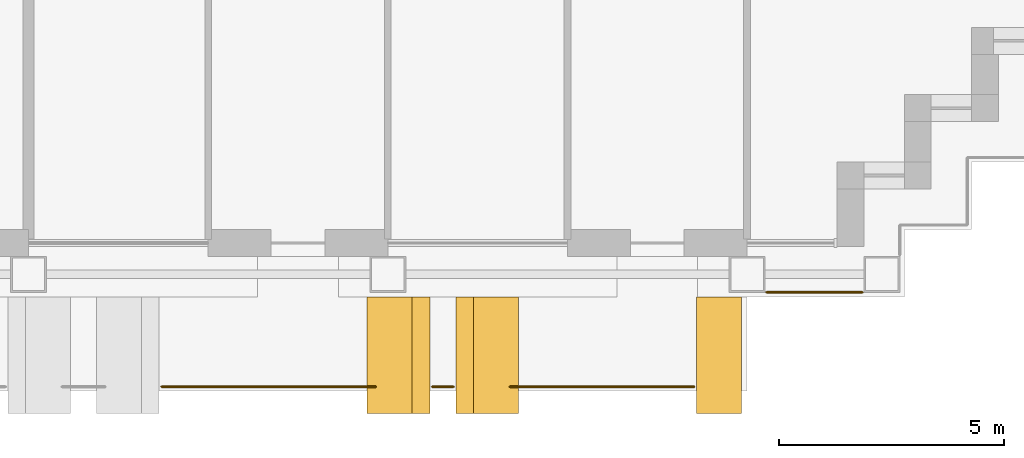
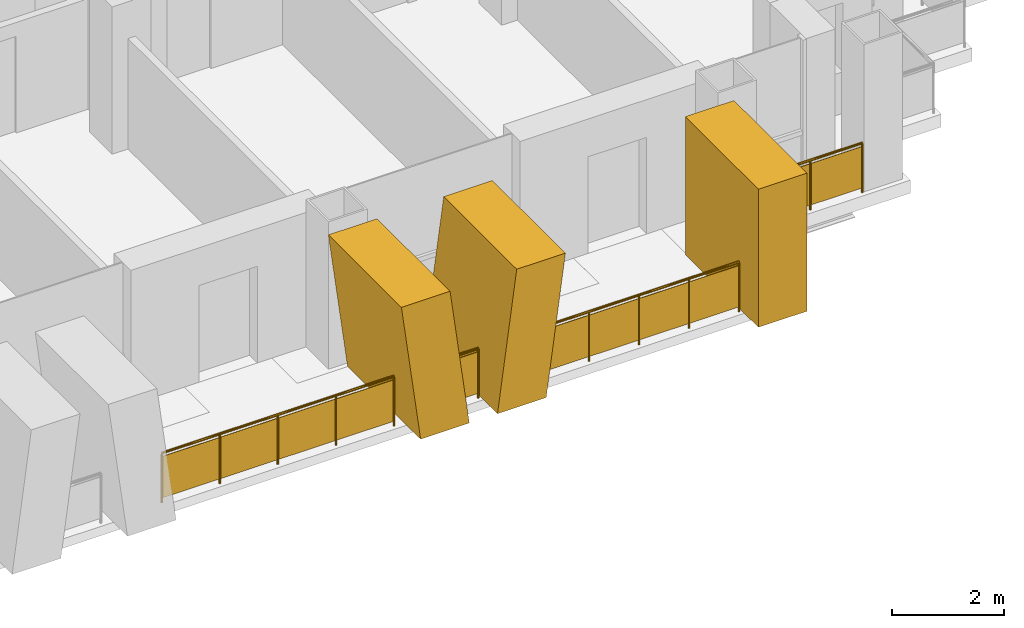
# One storey, part 15 of 18: 4 railings, 3 shading devices.
"""IFC4 building model written with IfcOpenShell, lengths in metres."""

from ifc_helpers import new_model, si_unit, direction, frame, origin, origin_2d, place, context, subcontext, project, spatial, polyline, rectangle, circle, outline, extrude, material, layer, layer_set, type_object, element, save


model = new_model("IFC4")

# Units and contexts
model_context = context("Model", 3, precision=1e-05, world=origin(), true_north=direction((0.0, 1.0)))
body_context = subcontext(model_context, "Body", "Model", "MODEL_VIEW")
ifc_project = project(units=[si_unit("LENGTHUNIT", "METRE"), si_unit("AREAUNIT", "SQUARE_METRE"), si_unit("VOLUMEUNIT", "CUBIC_METRE"), si_unit("PLANEANGLEUNIT", "RADIAN"), si_unit("MASSUNIT", "GRAM", prefix="KILO")], contexts=[model_context])

# Site, building, storey
site_placement = place(None, origin())
site = spatial("IfcSite", under=ifc_project, at=site_placement, CompositionType="ELEMENT")
building_placement = place(site_placement, origin())
building = spatial("IfcBuilding", under=site, at=building_placement, Name="Vidyagriha Tower", CompositionType="ELEMENT")
storey_placement = place(building_placement, frame((0.0, 0.0, 142.199951171875)))
storey = spatial("IfcBuildingStorey", under=building, at=storey_placement, Name="L37", CompositionType="ELEMENT", Elevation=142.199951171875)

# Railings
ifc_material_1 = material(Name="Steel ASTM A500 Grade C black painted", Category="steel")
railing_type_1 = type_object("IfcRailingType", Name="Balcony guard 1100", PredefinedType="BALUSTRADE", material=ifc_material_1)
railing_1_placement = place(storey_placement, frame((12.9599609375, -19.60009765625, 0.0)))
element("IfcRailing", 1, at=railing_1_placement, inside=storey, type_object=railing_type_1, Name="Balcony guard L37 R23.1-12", PredefinedType="BALUSTRADE", context=body_context, shape_type="SweptSolid", body=[
    extrude(circle(Radius=0.02490234375, at=origin_2d()), frame((0.0, 0.0, 1.0751953125), z_axis=(1.0, 0.0, 0.0), x_axis=(0.0, 1.0, 0.0)), (0.0, 0.0, 1.0), 4.773681640625),
    extrude(circle(Radius=0.02001953125, at=origin_2d()), origin(), (0.0, 0.0, 1.0), 1.050048828125),
    extrude(circle(Radius=0.02001953125, at=origin_2d()), frame((1.193359375, 0.0, 0.0)), (0.0, 0.0, 1.0), 1.050048828125),
    extrude(circle(Radius=0.02001953125, at=origin_2d()), frame((2.38671875, 0.0, 0.0)), (0.0, 0.0, 1.0), 1.050048828125),
    extrude(circle(Radius=0.02001953125, at=origin_2d()), frame((3.580322265625, 0.0, 0.0)), (0.0, 0.0, 1.0), 1.050048828125),
    extrude(circle(Radius=0.02001953125, at=origin_2d()), frame((4.773681640625, 0.0, 0.0)), (0.0, 0.0, 1.0), 1.050048828125),
    extrude(rectangle(XDim=0.010009765625, YDim=0.900146484375, at=origin_2d()), frame((0.0, 0.0, 0.550048828125), z_axis=(1.0, 0.0, 0.0), x_axis=(0.0, 1.0, 0.0)), (0.0, 0.0, 1.0), 4.773681640625),
])
railing_2_placement = place(storey_placement, frame((18.985107421875, -19.60009765625, 0.0)))
element("IfcRailing", 2, at=railing_2_placement, inside=storey, type_object=railing_type_1, Name="Balcony guard L37 R23.1-13", PredefinedType="BALUSTRADE", context=body_context, shape_type="SweptSolid", body=[
    extrude(circle(Radius=0.02490234375, at=origin_2d()), frame((0.0, 0.0, 1.0751953125), z_axis=(1.0, 0.0, 0.0), x_axis=(0.0, 1.0, 0.0)), (0.0, 0.0, 1.0), 0.47998046875),
    extrude(circle(Radius=0.02001953125, at=origin_2d()), origin(), (0.0, 0.0, 1.0), 1.050048828125),
    extrude(circle(Radius=0.02001953125, at=origin_2d()), frame((0.47998046875, 0.0, 0.0)), (0.0, 0.0, 1.0), 1.050048828125),
    extrude(rectangle(XDim=0.010009765625, YDim=0.900146484375, at=origin_2d()), frame((0.0, 0.0, 0.550048828125), z_axis=(1.0, 0.0, 0.0), x_axis=(0.0, 1.0, 0.0)), (0.0, 0.0, 1.0), 0.47998046875),
])
railing_3_placement = place(storey_placement, frame((20.71630859375, -19.60009765625, 0.0)))
element("IfcRailing", 3, at=railing_3_placement, inside=storey, type_object=railing_type_1, Name="Balcony guard L37 R23.1-14", PredefinedType="BALUSTRADE", context=body_context, shape_type="SweptSolid", body=[
    extrude(circle(Radius=0.02490234375, at=origin_2d()), frame((0.0, 0.0, 1.0751953125), z_axis=(1.0, 0.0, 0.0), x_axis=(0.0, 1.0, 0.0)), (0.0, 0.0, 1.0), 4.108642578125),
    extrude(circle(Radius=0.02001953125, at=origin_2d()), origin(), (0.0, 0.0, 1.0), 1.050048828125),
    extrude(circle(Radius=0.02001953125, at=origin_2d()), frame((1.027099609375, 0.0, 0.0)), (0.0, 0.0, 1.0), 1.050048828125),
    extrude(circle(Radius=0.02001953125, at=origin_2d()), frame((2.05419921875, 0.0, 0.0)), (0.0, 0.0, 1.0), 1.050048828125),
    extrude(circle(Radius=0.02001953125, at=origin_2d()), frame((3.08154296875, 0.0, 0.0)), (0.0, 0.0, 1.0), 1.050048828125),
    extrude(circle(Radius=0.02001953125, at=origin_2d()), frame((4.108642578125, 0.0, 0.0)), (0.0, 0.0, 1.0), 1.050048828125),
    extrude(rectangle(XDim=0.010009765625, YDim=0.900146484375, at=origin_2d()), frame((0.0, 0.0, 0.550048828125), z_axis=(1.0, 0.0, 0.0), x_axis=(0.0, 1.0, 0.0)), (0.0, 0.0, 1.0), 4.108642578125),
])

# Shading devices
ifc_material_2 = material(Name="Precast concrete C40/50 with buff brick facing", Category="concrete")
ifc_layer_1 = layer(ifc_material_2, 1.0)
ifc_layer_set_1 = layer_set([ifc_layer_1], Name="Precast concrete C40/50 with buff brick facing")
shading_device_type_1 = type_object("IfcShadingDeviceType", Name="Brick-faced blade fin arm leaning 8 degrees", PredefinedType="USERDEFINED", material=ifc_layer_set_1)
shading_device_1_placement = place(storey_placement, frame((19.514892578125, -18.89990234375, 0.0)))
element("IfcShadingDevice", 4, at=shading_device_1_placement, inside=storey, type_object=shading_device_type_1, Name="Leaning blade fin L37 R23.4600a", ObjectType="BLADE FIN", PredefinedType="USERDEFINED", context=body_context, shape_type="SweptSolid", body=[
    extrude(outline(polyline([(0.0, 0.0), (1.0, 0.0), (1.39501953125, 3.0), (0.39501953125, 3.0), (0.0, 0.0)])), frame((0.0, 1.300048828125, 0.0), z_axis=(0.0, -1.0, 0.0), x_axis=(1.0, 0.0, 0.0)), (0.0, 0.0, 1.0), 2.60009765625),
])
shading_device_2_placement = place(storey_placement, frame((17.5400390625, -18.89990234375, 0.0)))
element("IfcShadingDevice", 5, at=shading_device_2_placement, inside=storey, type_object=shading_device_type_1, Name="Leaning blade fin L37 R23.4600b", ObjectType="BLADE FIN", PredefinedType="USERDEFINED", context=body_context, shape_type="SweptSolid", body=[
    extrude(outline(polyline([(0.39501953125, 0.0), (1.39501953125, 0.0), (1.0, 3.0), (0.0, 3.0), (0.39501953125, 0.0)])), frame((0.0, 1.300048828125, 0.0), z_axis=(0.0, -1.0, 0.0), x_axis=(1.0, 0.0, 0.0)), (0.0, 0.0, 1.0), 2.60009765625),
])
ifc_material_3 = material(Name="Precast concrete C40/50 with buff brick facing", Category="concrete")
ifc_layer_2 = layer(ifc_material_3, 1.0)
ifc_layer_set_2 = layer_set([ifc_layer_2], Name="Precast concrete C40/50 with buff brick facing")
shading_device_type_2 = type_object("IfcShadingDeviceType", Name="Brick-faced blade fin stem 1000", PredefinedType="USERDEFINED", material=ifc_layer_set_2)
shading_device_3_placement = place(storey_placement, frame((24.875, -18.89990234375, 0.0)))
element("IfcShadingDevice", 6, at=shading_device_3_placement, inside=storey, type_object=shading_device_type_2, Name="Stem blade fin L37 R23.5400a", ObjectType="BLADE FIN", PredefinedType="USERDEFINED", context=body_context, shape_type="SweptSolid", body=[
    extrude(outline(polyline([(0.0, 0.0), (1.0, 0.0), (1.0, 3.0), (0.0, 3.0), (0.0, 0.0)])), frame((0.0, 1.300048828125, 0.0), z_axis=(0.0, -1.0, 0.0), x_axis=(1.0, 0.0, 0.0)), (0.0, 0.0, 1.0), 2.60009765625),
])

# Railing
ifc_material_4 = material(Name="Steel ASTM A500 Grade C black painted", Category="steel")
railing_type_2 = type_object("IfcRailingType", Name="Gallery guard 1100", PredefinedType="GUARDRAIL", material=ifc_material_4)
railing_4_placement = place(storey_placement, frame((28.570068359375, -17.5, 0.0)))
element("IfcRailing", 7, at=railing_4_placement, inside=storey, type_object=railing_type_2, Name="Gallery guard L37 11", PredefinedType="GUARDRAIL", context=body_context, shape_type="SweptSolid", body=[
    extrude(circle(Radius=0.02490234375, at=origin_2d()), frame((0.0, 0.0, 1.0751953125), z_axis=(-1.0, 0.0, 0.0), x_axis=(0.0, -1.0, 0.0)), (0.0, 0.0, 1.0), 2.14013671875),
    extrude(circle(Radius=0.02001953125, at=origin_2d()), origin(), (0.0, 0.0, 1.0), 1.050048828125),
    extrude(circle(Radius=0.02001953125, at=origin_2d()), frame((-1.070068359375, 0.0, 0.0)), (0.0, 0.0, 1.0), 1.050048828125),
    extrude(circle(Radius=0.02001953125, at=origin_2d()), frame((-2.14013671875, 0.0, 0.0)), (0.0, 0.0, 1.0), 1.050048828125),
    extrude(rectangle(XDim=0.010009765625, YDim=0.900146484375, at=origin_2d()), frame((0.0, 0.0, 0.550048828125), z_axis=(-1.0, 0.0, 0.0), x_axis=(0.0, -1.0, 0.0)), (0.0, 0.0, 1.0), 2.14013671875),
])

save(model, "model.ifc")
